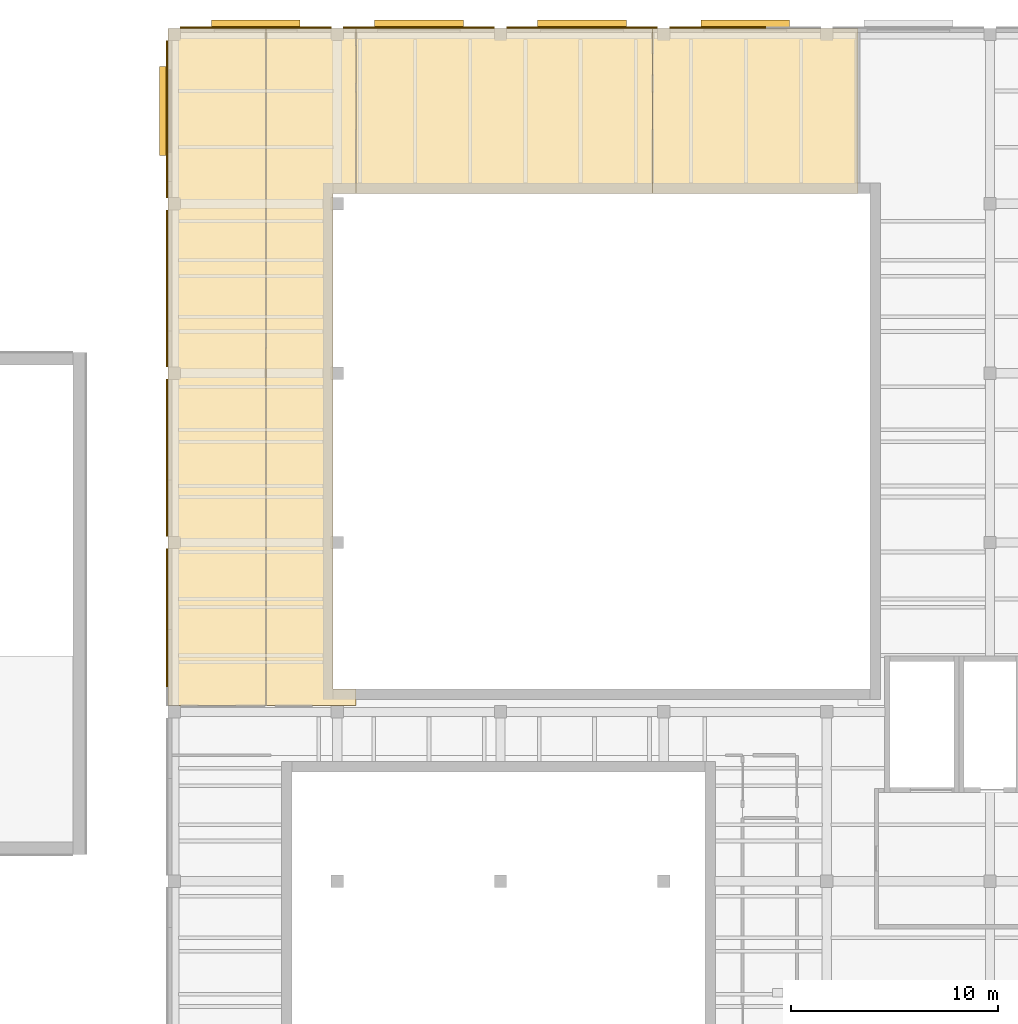
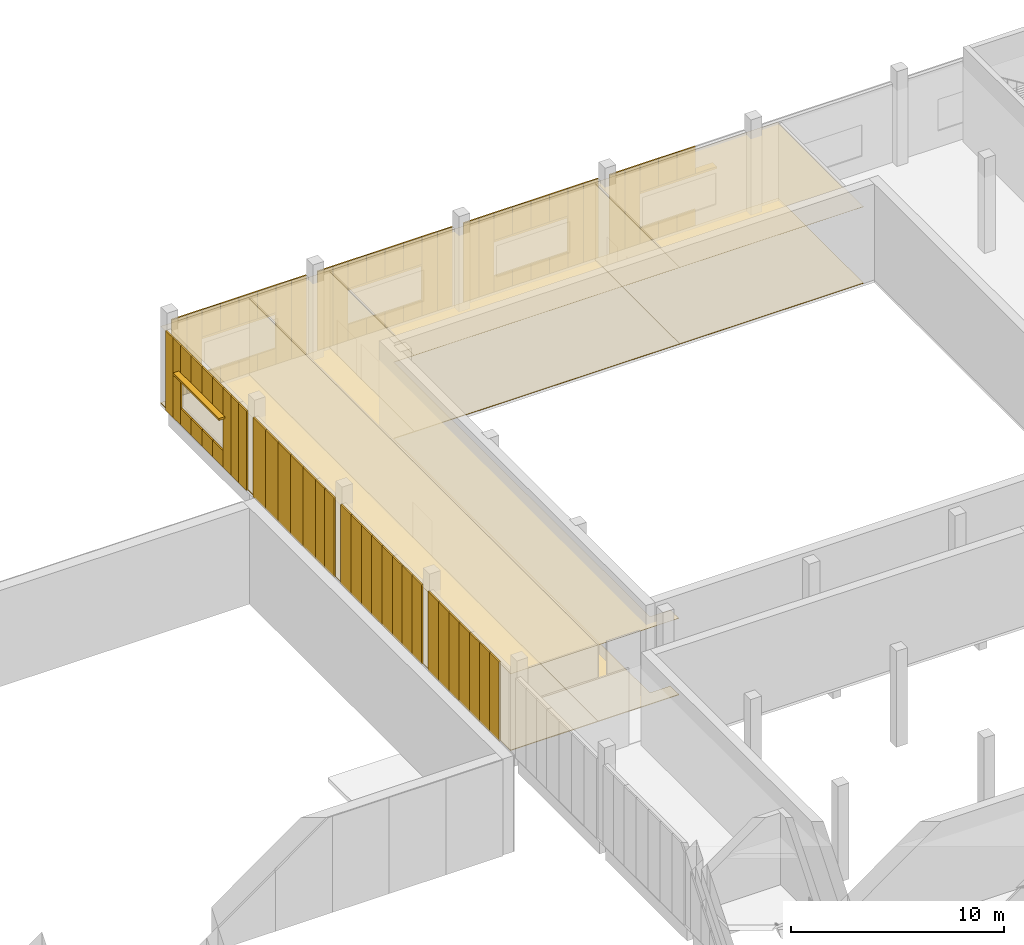
# One storey, part 109 of 112: 87 coverings, 5 shading devices.
"""IFC4 building model written with IfcOpenShell, lengths in metres."""

import ifcopenshell
import ifcopenshell.guid

model = None  # the IFC model being written
_history = None  # IfcOwnerHistory: only IFC2X3 demands one
_inside = {}  # id of a spatial element -> (the spatial element, [elements in it])
_under = {}  # id of a project, library or spatial element -> (it, [spatial elements below it])
_declared = {}  # id of a project -> (the project, [libraries it declares])
_typed = {}  # id of a type object -> (the type object, [elements of that type])
_made_of = {}  # id of a material, layer set ... -> (it, [elements and type objects made of it])


def new_model(schema):
    """Start an empty IFC model of exactly this schema.

    Asked for "IFC4X3", IfcOpenShell would pick the latest addendum, in which some entities
    have other attributes; the version numbers below select the first issue.
    IFC2X3 requires an IfcOwnerHistory on every rooted entity: one is made here for all.
    """
    global model, _history
    if schema == "IFC4X3":
        model = ifcopenshell.file(schema_version=(4, 3, 0, 0))
    else:
        model = ifcopenshell.file(schema=schema)
    _inside.clear()
    _under.clear()
    _declared.clear()
    _typed.clear()
    _made_of.clear()
    _history = None
    if model.schema == "IFC2X3":
        org = make("IfcOrganization", Name="unknown")
        user = make(
            "IfcPersonAndOrganization",
            ThePerson=make("IfcPerson", FamilyName="unknown"),
            TheOrganization=org,
        )
        app = make(
            "IfcApplication",
            ApplicationDeveloper=org,
            Version="unknown",
            ApplicationFullName="unknown",
            ApplicationIdentifier="unknown",
        )
        _history = make(
            "IfcOwnerHistory",
            OwningUser=user,
            OwningApplication=app,
            ChangeAction="ADDED",
            CreationDate=0,
        )
    return model


def make(cls, **values):
    """One entity of the class cls with the attributes given. An attribute that is None is left unset."""
    return model.create_entity(
        cls, **{name: value for name, value in values.items() if value is not None}
    )


def rooted(cls, **values):
    """An entity with a GlobalId (a new one), such as an element, a storey or a relation."""
    return make(cls, GlobalId=ifcopenshell.guid.new(), OwnerHistory=_history, **values)


def si_unit(unit_type, name, prefix=None):
    """IfcSIUnit, for example si_unit("LENGTHUNIT", "METRE", prefix="MILLI")."""
    return make("IfcSIUnit", UnitType=unit_type, Prefix=prefix, Name=name)


def assignment(units):
    """IfcUnitAssignment: the units of a project."""
    return None if units is None else make("IfcUnitAssignment", Units=units)


def point(xyz):
    """IfcCartesianPoint."""
    return None if xyz is None else make("IfcCartesianPoint", Coordinates=xyz)


def direction(xyz):
    """IfcDirection."""
    return None if xyz is None else make("IfcDirection", DirectionRatios=xyz)


def frame(location, z_axis=None, x_axis=None):
    """IfcAxis2Placement3D, a coordinate frame: its origin and axes. An axis left out is left unset."""
    return make(
        "IfcAxis2Placement3D",
        Location=point(location),
        Axis=direction(z_axis),
        RefDirection=direction(x_axis),
    )


def frame_2d(location, x_axis=None):
    """IfcAxis2Placement2D, a coordinate frame in the plane: its origin and x axis."""
    return make(
        "IfcAxis2Placement2D", Location=point(location), RefDirection=direction(x_axis)
    )


def origin():
    """The frame at (0, 0, 0) with its axes left unset."""
    return frame((0.0, 0.0, 0.0))


def origin_2d():
    """The frame at (0, 0) in the plane with its x axis left unset."""
    return frame_2d((0.0, 0.0))


def place(relative_to, where):
    """IfcLocalPlacement: puts the frame where relative to a parent placement (None: the world)."""
    return make(
        "IfcLocalPlacement", PlacementRelTo=relative_to, RelativePlacement=where
    )


def context(
    kind, dimensions, precision=None, world=None, true_north=None, identifier=None
):
    """IfcGeometricRepresentationContext, for example the 3D "Model" context."""
    return make(
        "IfcGeometricRepresentationContext",
        ContextIdentifier=identifier,
        ContextType=kind,
        CoordinateSpaceDimension=dimensions,
        Precision=precision,
        WorldCoordinateSystem=world,
        TrueNorth=true_north,
    )


def subcontext(parent, identifier, kind, view, scale=None):
    """IfcGeometricRepresentationSubContext, for example "Body" below "Model"."""
    return make(
        "IfcGeometricRepresentationSubContext",
        ContextIdentifier=identifier,
        ContextType=kind,
        ParentContext=parent,
        TargetScale=scale,
        TargetView=view,
    )


def project(units=None, contexts=None):
    """IfcProject with its units and contexts."""
    return rooted(
        "IfcProject",
        Name="project",
        RepresentationContexts=contexts,
        UnitsInContext=assignment(units),
    )


def spatial(cls, under=None, at=None, **own):
    """A site, building, storey or space (cls), placed at a placement, below another one or the project."""
    s = rooted(cls, ObjectPlacement=at, **own)
    if under is not None:
        _under.setdefault(under.id(), (under, []))[1].append(s)
    return s


def polyline(points):
    """IfcPolyline through the points."""
    return make("IfcPolyline", Points=[point(p) for p in points])


def profile(cls, at=None, kind="AREA", **sizes):
    """A parametric profile (cls). Its sizes go by their IFC names, for example OverallWidth=200.0."""
    return make(cls, ProfileType=kind, Position=at, **sizes)


def rectangle(**sizes):
    """IfcRectangleProfileDef."""
    return profile("IfcRectangleProfileDef", **sizes)


def outline(outer, holes=None, kind="AREA"):
    """IfcArbitraryClosedProfileDef: a profile drawn as a closed curve; with holes, ...WithVoids."""
    if holes is None:
        return make("IfcArbitraryClosedProfileDef", ProfileType=kind, OuterCurve=outer)
    return make(
        "IfcArbitraryProfileDefWithVoids",
        ProfileType=kind,
        OuterCurve=outer,
        InnerCurves=holes,
    )


def extrude(swept, where, along, depth):
    """IfcExtrudedAreaSolid: the profile swept, set in the frame where, extruded along a direction by depth."""
    return make(
        "IfcExtrudedAreaSolid",
        SweptArea=swept,
        Position=where,
        ExtrudedDirection=direction(along),
        Depth=depth,
    )


def shape(context_of_items, identifier, shape_type, items):
    """IfcShapeRepresentation: the items that make up one representation, for example the "Body"."""
    return make(
        "IfcShapeRepresentation",
        ContextOfItems=context_of_items,
        RepresentationIdentifier=identifier,
        RepresentationType=shape_type,
        Items=items,
    )


def material(Name=None, Category=None):
    """IfcMaterial."""
    return make("IfcMaterial", Name=Name, Category=Category)


def layer(
    of_material, thickness, ventilated=None, Name=None, Category=None, Priority=None
):
    """IfcMaterialLayer: one layer of a wall or slab, of a material (None: an air gap)."""
    return make(
        "IfcMaterialLayer",
        Material=of_material,
        LayerThickness=thickness,
        IsVentilated=ventilated,
        Name=Name,
        Category=Category,
        Priority=Priority,
    )


def layer_set(layers, Name=None):
    """IfcMaterialLayerSet."""
    return make("IfcMaterialLayerSet", MaterialLayers=layers, LayerSetName=Name)


def made_of(thing, what):
    """Note that an element or type object is made of a material, layer set ...; save() writes the relation."""
    if what is not None:
        _made_of.setdefault(what.id(), (what, []))[1].append(thing)
    return thing


def type_object(cls, material=None, **own):
    """A type object (cls), such as IfcWallType, which elements share."""
    return made_of(rooted(cls, **own), material)


def element(
    cls,
    number,
    at=None,
    inside=None,
    cuts=None,
    type_object=None,
    material=None,
    context=None,
    identifier="Body",
    shape_type=None,
    held_by="IfcProductDefinitionShape",
    body=None,
    shapes=None,
    **own,
):
    """One element of the class cls, such as IfcWall. Its Tag is "e" and its number.

    at: its placement. inside: the storey or other place that contains it. cuts: it is an
    opening in that element (IfcRelVoidsElement). A single representation is given by context,
    identifier, shape_type and body (its items); several are given by shapes. held_by: the class
    of the entity that holds the representations. save() writes the other relations.
    """
    e = rooted(cls, Tag="e%d" % number, ObjectPlacement=at, **own)
    if body is not None:
        shapes = [shape(context, identifier, shape_type, body)]
    if shapes is not None:
        e.Representation = make(held_by, Representations=shapes)
    if inside is not None:
        _inside.setdefault(inside.id(), (inside, []))[1].append(e)
    if cuts is not None:
        rooted(
            "IfcRelVoidsElement", RelatingBuildingElement=cuts, RelatedOpeningElement=e
        )
    if type_object is not None:
        _typed.setdefault(type_object.id(), (type_object, []))[1].append(e)
    return made_of(e, material)


def aggregate(whole, parts):
    """IfcRelAggregates: a whole, such as a stair, and the parts it consists of."""
    return rooted("IfcRelAggregates", RelatingObject=whole, RelatedObjects=parts)


def save(model, path):
    """Write the relations noted so far, then the file.

    IfcRelAggregates (storeys below a building ...), IfcRelContainedInSpatialStructure (elements
    in a storey), IfcRelDefinesByType, IfcRelAssociatesMaterial and IfcRelDeclares: one each for
    every whole, place, type object, material and project.
    """
    for whole, parts in _under.values():
        aggregate(whole, parts)
    for where, things in _inside.values():
        rooted(
            "IfcRelContainedInSpatialStructure",
            RelatedElements=things,
            RelatingStructure=where,
        )
    for kind, things in _typed.values():
        rooted("IfcRelDefinesByType", RelatedObjects=things, RelatingType=kind)
    for what, things in _made_of.values():
        rooted("IfcRelAssociatesMaterial", RelatedObjects=things, RelatingMaterial=what)
    for by, libraries in _declared.values():
        rooted("IfcRelDeclares", RelatingContext=by, RelatedDefinitions=libraries)
    model.write(path)


model = new_model("IFC4")

# Units and contexts
model_context = context("Model", 3, precision=1e-05, world=origin(), true_north=direction((0.0, 1.0)))
body_context = subcontext(model_context, "Body", "Model", "MODEL_VIEW")
ifc_project = project(units=[si_unit("LENGTHUNIT", "METRE"), si_unit("AREAUNIT", "SQUARE_METRE"), si_unit("VOLUMEUNIT", "CUBIC_METRE"), si_unit("PLANEANGLEUNIT", "RADIAN"), si_unit("MASSUNIT", "GRAM", prefix="KILO")], contexts=[model_context])

# Site, building, storey
site_placement = place(None, origin())
site = spatial("IfcSite", under=ifc_project, at=site_placement, CompositionType="ELEMENT")
building_placement = place(site_placement, origin())
building = spatial("IfcBuilding", under=site, at=building_placement, Name="Lunette Opera House", CompositionType="ELEMENT")
storey_placement = place(building_placement, frame((0.0, 0.0, 6.0)))
storey = spatial("IfcBuildingStorey", under=building, at=storey_placement, Name="L01", CompositionType="ELEMENT", Elevation=6.0)

# Coverings
ifc_material_1 = material(Name="Dark grey aluminium cassette", Category="aluminium")
ifc_layer_1 = layer(ifc_material_1, 0.080078125)
ifc_layer_set_1 = layer_set([ifc_layer_1], Name="Dark grey aluminium cassette")
covering_type_1 = type_object("IfcCoveringType", Name="DARK METAL CASSETTE 80", PredefinedType="CLADDING", material=ifc_layer_set_1)
covering_1_placement = place(storey_placement, frame((164.449951171875, 136.0400390625, 0.0), z_axis=(0.0, 0.0, 1.0), x_axis=(-1.0, 0.0, 0.0)))
element("IfcCovering", 1, at=covering_1_placement, inside=storey, type_object=covering_type_1, Name="Dark Metal Cassette 80 WK L01", PredefinedType="CLADDING", context=body_context, shape_type="SweptSolid", body=[
    extrude(rectangle(XDim=1.0, YDim=0.080078125, at=origin_2d()), origin(), (0.0, 0.0, 1.0), 0.949951171875),
])
covering_2_placement = place(storey_placement, frame((164.449951171875, 136.0400390625, 3.0), z_axis=(0.0, 0.0, 1.0), x_axis=(-1.0, 0.0, 0.0)))
element("IfcCovering", 2, at=covering_2_placement, inside=storey, type_object=covering_type_1, Name="Dark Metal Cassette 80 WK L01", PredefinedType="CLADDING", context=body_context, shape_type="SweptSolid", body=[
    extrude(rectangle(XDim=1.0, YDim=0.080078125, at=origin_2d()), origin(), (0.0, 0.0, 1.0), 1.550048828125),
])
covering_3_placement = place(storey_placement, frame((163.449951171875, 136.0400390625, 0.0), z_axis=(0.0, 0.0, 1.0), x_axis=(-1.0, 0.0, 0.0)))
element("IfcCovering", 3, at=covering_3_placement, inside=storey, type_object=covering_type_1, Name="Dark Metal Cassette 80 WK L01", PredefinedType="CLADDING", context=body_context, shape_type="SweptSolid", body=[
    extrude(rectangle(XDim=1.0, YDim=0.080078125, at=origin_2d()), origin(), (0.0, 0.0, 1.0), 0.949951171875),
])
covering_4_placement = place(storey_placement, frame((163.449951171875, 136.0400390625, 3.0), z_axis=(0.0, 0.0, 1.0), x_axis=(-1.0, 0.0, 0.0)))
element("IfcCovering", 4, at=covering_4_placement, inside=storey, type_object=covering_type_1, Name="Dark Metal Cassette 80 WK L01", PredefinedType="CLADDING", context=body_context, shape_type="SweptSolid", body=[
    extrude(rectangle(XDim=1.0, YDim=0.080078125, at=origin_2d()), origin(), (0.0, 0.0, 1.0), 1.550048828125),
])
covering_5_placement = place(storey_placement, frame((162.449951171875, 136.0400390625, 0.0), z_axis=(0.0, 0.0, 1.0), x_axis=(-1.0, 0.0, 0.0)))
element("IfcCovering", 5, at=covering_5_placement, inside=storey, type_object=covering_type_1, Name="Dark Metal Cassette 80 WK L01", PredefinedType="CLADDING", context=body_context, shape_type="SweptSolid", body=[
    extrude(rectangle(XDim=1.0, YDim=0.080078125, at=origin_2d()), origin(), (0.0, 0.0, 1.0), 0.949951171875),
])
covering_6_placement = place(storey_placement, frame((162.449951171875, 136.0400390625, 3.0), z_axis=(0.0, 0.0, 1.0), x_axis=(-1.0, 0.0, 0.0)))
element("IfcCovering", 6, at=covering_6_placement, inside=storey, type_object=covering_type_1, Name="Dark Metal Cassette 80 WK L01", PredefinedType="CLADDING", context=body_context, shape_type="SweptSolid", body=[
    extrude(rectangle(XDim=1.0, YDim=0.080078125, at=origin_2d()), origin(), (0.0, 0.0, 1.0), 1.550048828125),
])
for number, where, z_axis, x_axis, name in (
    (7, (161.537109375, 136.0400390625, 0.0), (0.0, 0.0, 1.0), (-1.0, 0.0, 0.0), "Dark Metal Cassette 80 WK L01"),
    (8, (160.712890625, 136.0400390625, 0.0), (0.0, 0.0, 1.0), (-1.0, 0.0, 0.0), "Dark Metal Cassette 80 WK L01"),
    (9, (159.287109375, 136.0400390625, 0.0), (0.0, 0.0, 1.0), (-1.0, 0.0, 0.0), "Dark Metal Cassette 80 WK L01"),
    (10, (158.4619140625, 136.0400390625, 0.0), (0.0, 0.0, 1.0), (-1.0, 0.0, 0.0), "Dark Metal Cassette 80 WK L01"),
):
    element("IfcCovering", number, at=place(storey_placement, frame(where, z_axis=z_axis, x_axis=x_axis)), inside=storey, type_object=covering_type_1, Name=name, PredefinedType="CLADDING", context=body_context, shape_type="SweptSolid", body=[
        extrude(rectangle(XDim=0.824951171875, YDim=0.080078125, at=origin_2d()), origin(), (0.0, 0.0, 1.0), 4.550048828125),
    ])
covering_7_placement = place(storey_placement, frame((157.550048828125, 136.0400390625, 0.0), z_axis=(0.0, 0.0, 1.0), x_axis=(-1.0, 0.0, 0.0)))
element("IfcCovering", 11, at=covering_7_placement, inside=storey, type_object=covering_type_1, Name="Dark Metal Cassette 80 WK L01", PredefinedType="CLADDING", context=body_context, shape_type="SweptSolid", body=[
    extrude(rectangle(XDim=1.0, YDim=0.080078125, at=origin_2d()), origin(), (0.0, 0.0, 1.0), 0.949951171875),
])
covering_8_placement = place(storey_placement, frame((157.550048828125, 136.0400390625, 3.0), z_axis=(0.0, 0.0, 1.0), x_axis=(-1.0, 0.0, 0.0)))
element("IfcCovering", 12, at=covering_8_placement, inside=storey, type_object=covering_type_1, Name="Dark Metal Cassette 80 WK L01", PredefinedType="CLADDING", context=body_context, shape_type="SweptSolid", body=[
    extrude(rectangle(XDim=1.0, YDim=0.080078125, at=origin_2d()), origin(), (0.0, 0.0, 1.0), 1.550048828125),
])
covering_9_placement = place(storey_placement, frame((156.550048828125, 136.0400390625, 0.0), z_axis=(0.0, 0.0, 1.0), x_axis=(-1.0, 0.0, 0.0)))
element("IfcCovering", 13, at=covering_9_placement, inside=storey, type_object=covering_type_1, Name="Dark Metal Cassette 80 WK L01", PredefinedType="CLADDING", context=body_context, shape_type="SweptSolid", body=[
    extrude(rectangle(XDim=1.0, YDim=0.080078125, at=origin_2d()), origin(), (0.0, 0.0, 1.0), 0.949951171875),
])
covering_10_placement = place(storey_placement, frame((156.550048828125, 136.0400390625, 3.0), z_axis=(0.0, 0.0, 1.0), x_axis=(-1.0, 0.0, 0.0)))
element("IfcCovering", 14, at=covering_10_placement, inside=storey, type_object=covering_type_1, Name="Dark Metal Cassette 80 WK L01", PredefinedType="CLADDING", context=body_context, shape_type="SweptSolid", body=[
    extrude(rectangle(XDim=1.0, YDim=0.080078125, at=origin_2d()), origin(), (0.0, 0.0, 1.0), 1.550048828125),
])
covering_11_placement = place(storey_placement, frame((155.550048828125, 136.0400390625, 0.0), z_axis=(0.0, 0.0, 1.0), x_axis=(-1.0, 0.0, 0.0)))
element("IfcCovering", 15, at=covering_11_placement, inside=storey, type_object=covering_type_1, Name="Dark Metal Cassette 80 WK L01", PredefinedType="CLADDING", context=body_context, shape_type="SweptSolid", body=[
    extrude(rectangle(XDim=1.0, YDim=0.080078125, at=origin_2d()), origin(), (0.0, 0.0, 1.0), 0.949951171875),
])
covering_12_placement = place(storey_placement, frame((155.550048828125, 136.0400390625, 3.0), z_axis=(0.0, 0.0, 1.0), x_axis=(-1.0, 0.0, 0.0)))
element("IfcCovering", 16, at=covering_12_placement, inside=storey, type_object=covering_type_1, Name="Dark Metal Cassette 80 WK L01", PredefinedType="CLADDING", context=body_context, shape_type="SweptSolid", body=[
    extrude(rectangle(XDim=1.0, YDim=0.080078125, at=origin_2d()), origin(), (0.0, 0.0, 1.0), 1.550048828125),
])
covering_13_placement = place(storey_placement, frame((154.550048828125, 136.0400390625, 0.0), z_axis=(0.0, 0.0, 1.0), x_axis=(-1.0, 0.0, 0.0)))
element("IfcCovering", 17, at=covering_13_placement, inside=storey, type_object=covering_type_1, Name="Dark Metal Cassette 80 WK L01", PredefinedType="CLADDING", context=body_context, shape_type="SweptSolid", body=[
    extrude(rectangle(XDim=1.0, YDim=0.080078125, at=origin_2d()), origin(), (0.0, 0.0, 1.0), 0.949951171875),
])
covering_14_placement = place(storey_placement, frame((154.550048828125, 136.0400390625, 3.0), z_axis=(0.0, 0.0, 1.0), x_axis=(-1.0, 0.0, 0.0)))
element("IfcCovering", 18, at=covering_14_placement, inside=storey, type_object=covering_type_1, Name="Dark Metal Cassette 80 WK L01", PredefinedType="CLADDING", context=body_context, shape_type="SweptSolid", body=[
    extrude(rectangle(XDim=1.0, YDim=0.080078125, at=origin_2d()), origin(), (0.0, 0.0, 1.0), 1.550048828125),
])
for number, where, z_axis, x_axis, name in (
    (19, (153.636962890625, 136.0400390625, 0.0), (0.0, 0.0, 1.0), (-1.0, 0.0, 0.0), "Dark Metal Cassette 80 WK L01"),
    (20, (152.81201171875, 136.0400390625, 0.0), (0.0, 0.0, 1.0), (-1.0, 0.0, 0.0), "Dark Metal Cassette 80 WK L01"),
    (21, (151.387939453125, 136.0400390625, 0.0), (0.0, 0.0, 1.0), (-1.0, 0.0, 0.0), "Dark Metal Cassette 80 WK L01"),
    (22, (150.56201171875, 136.0400390625, 0.0), (0.0, 0.0, 1.0), (-1.0, 0.0, 0.0), "Dark Metal Cassette 80 WK L01"),
):
    element("IfcCovering", number, at=place(storey_placement, frame(where, z_axis=z_axis, x_axis=x_axis)), inside=storey, type_object=covering_type_1, Name=name, PredefinedType="CLADDING", context=body_context, shape_type="SweptSolid", body=[
        extrude(rectangle(XDim=0.824951171875, YDim=0.080078125, at=origin_2d()), origin(), (0.0, 0.0, 1.0), 4.550048828125),
    ])
covering_15_placement = place(storey_placement, frame((149.64990234375, 136.0400390625, 0.0), z_axis=(0.0, 0.0, 1.0), x_axis=(-1.0, 0.0, 0.0)))
element("IfcCovering", 23, at=covering_15_placement, inside=storey, type_object=covering_type_1, Name="Dark Metal Cassette 80 WK L01", PredefinedType="CLADDING", context=body_context, shape_type="SweptSolid", body=[
    extrude(rectangle(XDim=1.0, YDim=0.080078125, at=origin_2d()), origin(), (0.0, 0.0, 1.0), 0.949951171875),
])
covering_16_placement = place(storey_placement, frame((149.64990234375, 136.0400390625, 3.0), z_axis=(0.0, 0.0, 1.0), x_axis=(-1.0, 0.0, 0.0)))
element("IfcCovering", 24, at=covering_16_placement, inside=storey, type_object=covering_type_1, Name="Dark Metal Cassette 80 WK L01", PredefinedType="CLADDING", context=body_context, shape_type="SweptSolid", body=[
    extrude(rectangle(XDim=1.0, YDim=0.080078125, at=origin_2d()), origin(), (0.0, 0.0, 1.0), 1.550048828125),
])
covering_17_placement = place(storey_placement, frame((148.64990234375, 136.0400390625, 0.0), z_axis=(0.0, 0.0, 1.0), x_axis=(-1.0, 0.0, 0.0)))
element("IfcCovering", 25, at=covering_17_placement, inside=storey, type_object=covering_type_1, Name="Dark Metal Cassette 80 WK L01", PredefinedType="CLADDING", context=body_context, shape_type="SweptSolid", body=[
    extrude(rectangle(XDim=1.0, YDim=0.080078125, at=origin_2d()), origin(), (0.0, 0.0, 1.0), 0.949951171875),
])
covering_18_placement = place(storey_placement, frame((148.64990234375, 136.0400390625, 3.0), z_axis=(0.0, 0.0, 1.0), x_axis=(-1.0, 0.0, 0.0)))
element("IfcCovering", 26, at=covering_18_placement, inside=storey, type_object=covering_type_1, Name="Dark Metal Cassette 80 WK L01", PredefinedType="CLADDING", context=body_context, shape_type="SweptSolid", body=[
    extrude(rectangle(XDim=1.0, YDim=0.080078125, at=origin_2d()), origin(), (0.0, 0.0, 1.0), 1.550048828125),
])
covering_19_placement = place(storey_placement, frame((147.64990234375, 136.0400390625, 0.0), z_axis=(0.0, 0.0, 1.0), x_axis=(-1.0, 0.0, 0.0)))
element("IfcCovering", 27, at=covering_19_placement, inside=storey, type_object=covering_type_1, Name="Dark Metal Cassette 80 WK L01", PredefinedType="CLADDING", context=body_context, shape_type="SweptSolid", body=[
    extrude(rectangle(XDim=1.0, YDim=0.080078125, at=origin_2d()), origin(), (0.0, 0.0, 1.0), 0.949951171875),
])
covering_20_placement = place(storey_placement, frame((147.64990234375, 136.0400390625, 3.0), z_axis=(0.0, 0.0, 1.0), x_axis=(-1.0, 0.0, 0.0)))
element("IfcCovering", 28, at=covering_20_placement, inside=storey, type_object=covering_type_1, Name="Dark Metal Cassette 80 WK L01", PredefinedType="CLADDING", context=body_context, shape_type="SweptSolid", body=[
    extrude(rectangle(XDim=1.0, YDim=0.080078125, at=origin_2d()), origin(), (0.0, 0.0, 1.0), 1.550048828125),
])
covering_21_placement = place(storey_placement, frame((146.64990234375, 136.0400390625, 0.0), z_axis=(0.0, 0.0, 1.0), x_axis=(-1.0, 0.0, 0.0)))
element("IfcCovering", 29, at=covering_21_placement, inside=storey, type_object=covering_type_1, Name="Dark Metal Cassette 80 WK L01", PredefinedType="CLADDING", context=body_context, shape_type="SweptSolid", body=[
    extrude(rectangle(XDim=1.0, YDim=0.080078125, at=origin_2d()), origin(), (0.0, 0.0, 1.0), 0.949951171875),
])
covering_22_placement = place(storey_placement, frame((146.64990234375, 136.0400390625, 3.0), z_axis=(0.0, 0.0, 1.0), x_axis=(-1.0, 0.0, 0.0)))
element("IfcCovering", 30, at=covering_22_placement, inside=storey, type_object=covering_type_1, Name="Dark Metal Cassette 80 WK L01", PredefinedType="CLADDING", context=body_context, shape_type="SweptSolid", body=[
    extrude(rectangle(XDim=1.0, YDim=0.080078125, at=origin_2d()), origin(), (0.0, 0.0, 1.0), 1.550048828125),
])
for number, where, z_axis, x_axis, name in (
    (31, (145.738037109375, 136.0400390625, 0.0), (0.0, 0.0, 1.0), (-1.0, 0.0, 0.0), "Dark Metal Cassette 80 WK L01"),
    (32, (144.912109375, 136.0400390625, 0.0), (0.0, 0.0, 1.0), (-1.0, 0.0, 0.0), "Dark Metal Cassette 80 WK L01"),
    (33, (143.488037109375, 136.0400390625, 0.0), (0.0, 0.0, 1.0), (-1.0, 0.0, 0.0), "Dark Metal Cassette 80 WK L01"),
    (34, (142.662109375, 136.0400390625, 0.0), (0.0, 0.0, 1.0), (-1.0, 0.0, 0.0), "Dark Metal Cassette 80 WK L01"),
):
    element("IfcCovering", number, at=place(storey_placement, frame(where, z_axis=z_axis, x_axis=x_axis)), inside=storey, type_object=covering_type_1, Name=name, PredefinedType="CLADDING", context=body_context, shape_type="SweptSolid", body=[
        extrude(rectangle(XDim=0.824951171875, YDim=0.080078125, at=origin_2d()), origin(), (0.0, 0.0, 1.0), 4.550048828125),
    ])
covering_23_placement = place(storey_placement, frame((141.75, 136.0400390625, 0.0), z_axis=(0.0, 0.0, 1.0), x_axis=(-1.0, 0.0, 0.0)))
element("IfcCovering", 35, at=covering_23_placement, inside=storey, type_object=covering_type_1, Name="Dark Metal Cassette 80 WK L01", PredefinedType="CLADDING", context=body_context, shape_type="SweptSolid", body=[
    extrude(rectangle(XDim=1.0, YDim=0.080078125, at=origin_2d()), origin(), (0.0, 0.0, 1.0), 0.949951171875),
])
covering_24_placement = place(storey_placement, frame((141.75, 136.0400390625, 3.0), z_axis=(0.0, 0.0, 1.0), x_axis=(-1.0, 0.0, 0.0)))
element("IfcCovering", 36, at=covering_24_placement, inside=storey, type_object=covering_type_1, Name="Dark Metal Cassette 80 WK L01", PredefinedType="CLADDING", context=body_context, shape_type="SweptSolid", body=[
    extrude(rectangle(XDim=1.0, YDim=0.080078125, at=origin_2d()), origin(), (0.0, 0.0, 1.0), 1.550048828125),
])
covering_25_placement = place(storey_placement, frame((140.75, 136.0400390625, 0.0), z_axis=(0.0, 0.0, 1.0), x_axis=(-1.0, 0.0, 0.0)))
element("IfcCovering", 37, at=covering_25_placement, inside=storey, type_object=covering_type_1, Name="Dark Metal Cassette 80 WK L01", PredefinedType="CLADDING", context=body_context, shape_type="SweptSolid", body=[
    extrude(rectangle(XDim=1.0, YDim=0.080078125, at=origin_2d()), origin(), (0.0, 0.0, 1.0), 0.949951171875),
])
covering_26_placement = place(storey_placement, frame((140.75, 136.0400390625, 3.0), z_axis=(0.0, 0.0, 1.0), x_axis=(-1.0, 0.0, 0.0)))
element("IfcCovering", 38, at=covering_26_placement, inside=storey, type_object=covering_type_1, Name="Dark Metal Cassette 80 WK L01", PredefinedType="CLADDING", context=body_context, shape_type="SweptSolid", body=[
    extrude(rectangle(XDim=1.0, YDim=0.080078125, at=origin_2d()), origin(), (0.0, 0.0, 1.0), 1.550048828125),
])
covering_27_placement = place(storey_placement, frame((139.75, 136.0400390625, 0.0), z_axis=(0.0, 0.0, 1.0), x_axis=(-1.0, 0.0, 0.0)))
element("IfcCovering", 39, at=covering_27_placement, inside=storey, type_object=covering_type_1, Name="Dark Metal Cassette 80 WK L01", PredefinedType="CLADDING", context=body_context, shape_type="SweptSolid", body=[
    extrude(rectangle(XDim=1.0, YDim=0.080078125, at=origin_2d()), origin(), (0.0, 0.0, 1.0), 0.949951171875),
])
covering_28_placement = place(storey_placement, frame((139.75, 136.0400390625, 3.0), z_axis=(0.0, 0.0, 1.0), x_axis=(-1.0, 0.0, 0.0)))
element("IfcCovering", 40, at=covering_28_placement, inside=storey, type_object=covering_type_1, Name="Dark Metal Cassette 80 WK L01", PredefinedType="CLADDING", context=body_context, shape_type="SweptSolid", body=[
    extrude(rectangle(XDim=1.0, YDim=0.080078125, at=origin_2d()), origin(), (0.0, 0.0, 1.0), 1.550048828125),
])
covering_29_placement = place(storey_placement, frame((138.75, 136.0400390625, 0.0), z_axis=(0.0, 0.0, 1.0), x_axis=(-1.0, 0.0, 0.0)))
element("IfcCovering", 41, at=covering_29_placement, inside=storey, type_object=covering_type_1, Name="Dark Metal Cassette 80 WK L01", PredefinedType="CLADDING", context=body_context, shape_type="SweptSolid", body=[
    extrude(rectangle(XDim=1.0, YDim=0.080078125, at=origin_2d()), origin(), (0.0, 0.0, 1.0), 0.949951171875),
])
covering_30_placement = place(storey_placement, frame((138.75, 136.0400390625, 3.0), z_axis=(0.0, 0.0, 1.0), x_axis=(-1.0, 0.0, 0.0)))
element("IfcCovering", 42, at=covering_30_placement, inside=storey, type_object=covering_type_1, Name="Dark Metal Cassette 80 WK L01", PredefinedType="CLADDING", context=body_context, shape_type="SweptSolid", body=[
    extrude(rectangle(XDim=1.0, YDim=0.080078125, at=origin_2d()), origin(), (0.0, 0.0, 1.0), 1.550048828125),
])
for number, where, z_axis, x_axis, name in (
    (43, (137.837890625, 136.0400390625, 0.0), (0.0, 0.0, 1.0), (-1.0, 0.0, 0.0), "Dark Metal Cassette 80 WK L01"),
    (44, (137.011962890625, 136.0400390625, 0.0), (0.0, 0.0, 1.0), (-1.0, 0.0, 0.0), "Dark Metal Cassette 80 WK L01"),
):
    element("IfcCovering", number, at=place(storey_placement, frame(where, z_axis=z_axis, x_axis=x_axis)), inside=storey, type_object=covering_type_1, Name=name, PredefinedType="CLADDING", context=body_context, shape_type="SweptSolid", body=[
        extrude(rectangle(XDim=0.824951171875, YDim=0.080078125, at=origin_2d()), origin(), (0.0, 0.0, 1.0), 4.550048828125),
    ])
for number, where, z_axis, x_axis, name in (
    (45, (135.9599609375, 135.047119140625, 0.0), (0.0, 0.0, 1.0), (0.0, -1.0, 0.0), "Dark Metal Cassette 80 WK L01"),
    (46, (135.9599609375, 134.341064453125, 0.0), (0.0, 0.0, 1.0), (0.0, -1.0, 0.0), "Dark Metal Cassette 80 WK L01"),
):
    element("IfcCovering", number, at=place(storey_placement, frame(where, z_axis=z_axis, x_axis=x_axis)), inside=storey, type_object=covering_type_1, Name=name, PredefinedType="CLADDING", context=body_context, shape_type="SweptSolid", body=[
        extrude(rectangle(XDim=0.7060546875, YDim=0.080078125, at=origin_2d()), origin(), (0.0, 0.0, 1.0), 4.550048828125),
    ])
covering_31_placement = place(storey_placement, frame((135.9599609375, 133.488037109375, 0.0), z_axis=(0.0, 0.0, 1.0), x_axis=(0.0, -1.0, 0.0)))
element("IfcCovering", 47, at=covering_31_placement, inside=storey, type_object=covering_type_1, Name="Dark Metal Cassette 80 WK L01", PredefinedType="CLADDING", context=body_context, shape_type="SweptSolid", body=[
    extrude(rectangle(XDim=1.0, YDim=0.080078125, at=origin_2d()), origin(), (0.0, 0.0, 1.0), 0.949951171875),
])
covering_32_placement = place(storey_placement, frame((135.9599609375, 133.488037109375, 3.0), z_axis=(0.0, 0.0, 1.0), x_axis=(0.0, -1.0, 0.0)))
element("IfcCovering", 48, at=covering_32_placement, inside=storey, type_object=covering_type_1, Name="Dark Metal Cassette 80 WK L01", PredefinedType="CLADDING", context=body_context, shape_type="SweptSolid", body=[
    extrude(rectangle(XDim=1.0, YDim=0.080078125, at=origin_2d()), origin(), (0.0, 0.0, 1.0), 1.550048828125),
])
covering_33_placement = place(storey_placement, frame((135.9599609375, 132.488037109375, 0.0), z_axis=(0.0, 0.0, 1.0), x_axis=(0.0, -1.0, 0.0)))
element("IfcCovering", 49, at=covering_33_placement, inside=storey, type_object=covering_type_1, Name="Dark Metal Cassette 80 WK L01", PredefinedType="CLADDING", context=body_context, shape_type="SweptSolid", body=[
    extrude(rectangle(XDim=1.0, YDim=0.080078125, at=origin_2d()), origin(), (0.0, 0.0, 1.0), 0.949951171875),
])
covering_34_placement = place(storey_placement, frame((135.9599609375, 132.488037109375, 3.0), z_axis=(0.0, 0.0, 1.0), x_axis=(0.0, -1.0, 0.0)))
element("IfcCovering", 50, at=covering_34_placement, inside=storey, type_object=covering_type_1, Name="Dark Metal Cassette 80 WK L01", PredefinedType="CLADDING", context=body_context, shape_type="SweptSolid", body=[
    extrude(rectangle(XDim=1.0, YDim=0.080078125, at=origin_2d()), origin(), (0.0, 0.0, 1.0), 1.550048828125),
])
covering_35_placement = place(storey_placement, frame((135.9599609375, 131.488037109375, 0.0), z_axis=(0.0, 0.0, 1.0), x_axis=(0.0, -1.0, 0.0)))
element("IfcCovering", 51, at=covering_35_placement, inside=storey, type_object=covering_type_1, Name="Dark Metal Cassette 80 WK L01", PredefinedType="CLADDING", context=body_context, shape_type="SweptSolid", body=[
    extrude(rectangle(XDim=1.0, YDim=0.080078125, at=origin_2d()), origin(), (0.0, 0.0, 1.0), 0.949951171875),
])
covering_36_placement = place(storey_placement, frame((135.9599609375, 131.488037109375, 3.0), z_axis=(0.0, 0.0, 1.0), x_axis=(0.0, -1.0, 0.0)))
element("IfcCovering", 52, at=covering_36_placement, inside=storey, type_object=covering_type_1, Name="Dark Metal Cassette 80 WK L01", PredefinedType="CLADDING", context=body_context, shape_type="SweptSolid", body=[
    extrude(rectangle(XDim=1.0, YDim=0.080078125, at=origin_2d()), origin(), (0.0, 0.0, 1.0), 1.550048828125),
])
covering_37_placement = place(storey_placement, frame((135.9599609375, 130.488037109375, 0.0), z_axis=(0.0, 0.0, 1.0), x_axis=(0.0, -1.0, 0.0)))
element("IfcCovering", 53, at=covering_37_placement, inside=storey, type_object=covering_type_1, Name="Dark Metal Cassette 80 WK L01", PredefinedType="CLADDING", context=body_context, shape_type="SweptSolid", body=[
    extrude(rectangle(XDim=1.0, YDim=0.080078125, at=origin_2d()), origin(), (0.0, 0.0, 1.0), 0.949951171875),
])
covering_38_placement = place(storey_placement, frame((135.9599609375, 130.488037109375, 3.0), z_axis=(0.0, 0.0, 1.0), x_axis=(0.0, -1.0, 0.0)))
element("IfcCovering", 54, at=covering_38_placement, inside=storey, type_object=covering_type_1, Name="Dark Metal Cassette 80 WK L01", PredefinedType="CLADDING", context=body_context, shape_type="SweptSolid", body=[
    extrude(rectangle(XDim=1.0, YDim=0.080078125, at=origin_2d()), origin(), (0.0, 0.0, 1.0), 1.550048828125),
])
for number, where, z_axis, x_axis, name in (
    (55, (135.9599609375, 129.635009765625, 0.0), (0.0, 0.0, 1.0), (0.0, -1.0, 0.0), "Dark Metal Cassette 80 WK L01"),
    (56, (135.9599609375, 128.927978515625, 0.0), (0.0, 0.0, 1.0), (0.0, -1.0, 0.0), "Dark Metal Cassette 80 WK L01"),
):
    element("IfcCovering", number, at=place(storey_placement, frame(where, z_axis=z_axis, x_axis=x_axis)), inside=storey, type_object=covering_type_1, Name=name, PredefinedType="CLADDING", context=body_context, shape_type="SweptSolid", body=[
        extrude(rectangle(XDim=0.70703125, YDim=0.080078125, at=origin_2d()), origin(), (0.0, 0.0, 1.0), 4.550048828125),
    ])
covering_39_placement = place(storey_placement, frame((135.9599609375, 128.18798828125, 0.0), z_axis=(0.0, 0.0, 1.0), x_axis=(0.0, -1.0, 0.0)))
element("IfcCovering", 57, at=covering_39_placement, inside=storey, type_object=covering_type_1, Name="Dark Metal Cassette 80 WK L01", PredefinedType="CLADDING", context=body_context, shape_type="SweptSolid", body=[
    extrude(rectangle(XDim=0.77490234375, YDim=0.080078125, at=origin_2d()), origin(), (0.0, 0.0, 1.0), 4.550048828125),
])
for number, where, z_axis, x_axis, name in (
    (58, (135.9599609375, 126.614990234375, 0.0), (0.0, 0.0, 1.0), (0.0, -1.0, 0.0), "Dark Metal Cassette 80 WK L01"),
    (59, (135.9599609375, 125.445068359375, 0.0), (0.0, 0.0, 1.0), (0.0, -1.0, 0.0), "Dark Metal Cassette 80 WK L01"),
    (60, (135.9599609375, 124.27490234375, 0.0), (0.0, 0.0, 1.0), (0.0, -1.0, 0.0), "Dark Metal Cassette 80 WK L01"),
    (61, (135.9599609375, 123.10498046875, 0.0), (0.0, 0.0, 1.0), (0.0, -1.0, 0.0), "Dark Metal Cassette 80 WK L01"),
    (62, (135.9599609375, 121.93505859375, 0.0), (0.0, 0.0, 1.0), (0.0, -1.0, 0.0), "Dark Metal Cassette 80 WK L01"),
):
    element("IfcCovering", number, at=place(storey_placement, frame(where, z_axis=z_axis, x_axis=x_axis)), inside=storey, type_object=covering_type_1, Name=name, PredefinedType="CLADDING", context=body_context, shape_type="SweptSolid", body=[
        extrude(rectangle(XDim=1.169921875, YDim=0.080078125, at=origin_2d()), origin(), (0.0, 0.0, 1.0), 4.550048828125),
    ])
for number, where, z_axis, x_axis, name in (
    (63, (135.9599609375, 120.912109375, 0.0), (0.0, 0.0, 1.0), (0.0, -1.0, 0.0), "Dark Metal Cassette 80 WK L01"),
    (64, (135.9599609375, 120.037109375, 0.0), (0.0, 0.0, 1.0), (0.0, -1.0, 0.0), "Dark Metal Cassette 80 WK L01"),
):
    element("IfcCovering", number, at=place(storey_placement, frame(where, z_axis=z_axis, x_axis=x_axis)), inside=storey, type_object=covering_type_1, Name=name, PredefinedType="CLADDING", context=body_context, shape_type="SweptSolid", body=[
        extrude(rectangle(XDim=0.875, YDim=0.080078125, at=origin_2d()), origin(), (0.0, 0.0, 1.0), 4.550048828125),
    ])
for number, where, z_axis, x_axis, name in (
    (65, (135.9599609375, 118.512939453125, 0.0), (0.0, 0.0, 1.0), (0.0, -1.0, 0.0), "Dark Metal Cassette 80 WK L01"),
    (66, (135.9599609375, 117.537109375, 0.0), (0.0, 0.0, 1.0), (0.0, -1.0, 0.0), "Dark Metal Cassette 80 WK L01"),
    (67, (135.9599609375, 116.56201171875, 0.0), (0.0, 0.0, 1.0), (0.0, -1.0, 0.0), "Dark Metal Cassette 80 WK L01"),
    (68, (135.9599609375, 115.587890625, 0.0), (0.0, 0.0, 1.0), (0.0, -1.0, 0.0), "Dark Metal Cassette 80 WK L01"),
    (69, (135.9599609375, 114.612060546875, 0.0), (0.0, 0.0, 1.0), (0.0, -1.0, 0.0), "Dark Metal Cassette 80 WK L01"),
):
    element("IfcCovering", number, at=place(storey_placement, frame(where, z_axis=z_axis, x_axis=x_axis)), inside=storey, type_object=covering_type_1, Name=name, PredefinedType="CLADDING", context=body_context, shape_type="SweptSolid", body=[
        extrude(rectangle(XDim=0.97509765625, YDim=0.080078125, at=origin_2d()), origin(), (0.0, 0.0, 1.0), 4.550048828125),
    ])
for number, where, z_axis, x_axis, name in (
    (70, (135.9599609375, 113.6708984375, 0.0), (0.0, 0.0, 1.0), (0.0, -1.0, 0.0), "Dark Metal Cassette 80 WK L01"),
    (71, (135.9599609375, 112.762939453125, 0.0), (0.0, 0.0, 1.0), (0.0, -1.0, 0.0), "Dark Metal Cassette 80 WK L01"),
    (72, (135.9599609375, 111.85400390625, 0.0), (0.0, 0.0, 1.0), (0.0, -1.0, 0.0), "Dark Metal Cassette 80 WK L01"),
):
    element("IfcCovering", number, at=place(storey_placement, frame(where, z_axis=z_axis, x_axis=x_axis)), inside=storey, type_object=covering_type_1, Name=name, PredefinedType="CLADDING", context=body_context, shape_type="SweptSolid", body=[
        extrude(rectangle(XDim=0.907958984375, YDim=0.080078125, at=origin_2d()), origin(), (0.0, 0.0, 1.0), 4.550048828125),
    ])
for number, where, z_axis, x_axis, name in (
    (73, (135.9599609375, 110.31201171875, 0.0), (0.0, 0.0, 1.0), (0.0, -1.0, 0.0), "Dark Metal Cassette 80 WK L01"),
    (74, (135.9599609375, 109.337890625, 0.0), (0.0, 0.0, 1.0), (0.0, -1.0, 0.0), "Dark Metal Cassette 80 WK L01"),
    (75, (135.9599609375, 108.362060546875, 0.0), (0.0, 0.0, 1.0), (0.0, -1.0, 0.0), "Dark Metal Cassette 80 WK L01"),
    (76, (135.9599609375, 107.387939453125, 0.0), (0.0, 0.0, 1.0), (0.0, -1.0, 0.0), "Dark Metal Cassette 80 WK L01"),
):
    element("IfcCovering", number, at=place(storey_placement, frame(where, z_axis=z_axis, x_axis=x_axis)), inside=storey, type_object=covering_type_1, Name=name, PredefinedType="CLADDING", context=body_context, shape_type="SweptSolid", body=[
        extrude(rectangle(XDim=0.97509765625, YDim=0.080078125, at=origin_2d()), origin(), (0.0, 0.0, 1.0), 4.550048828125),
    ])
for number, where, z_axis, x_axis, name in (
    (77, (135.9599609375, 106.43798828125, 0.0), (0.0, 0.0, 1.0), (0.0, -1.0, 0.0), "Dark Metal Cassette 80 WK L01"),
    (78, (135.9599609375, 105.512939453125, 0.0), (0.0, 0.0, 1.0), (0.0, -1.0, 0.0), "Dark Metal Cassette 80 WK L01"),
    (79, (135.9599609375, 104.587890625, 0.0), (0.0, 0.0, 1.0), (0.0, -1.0, 0.0), "Dark Metal Cassette 80 WK L01"),
):
    element("IfcCovering", number, at=place(storey_placement, frame(where, z_axis=z_axis, x_axis=x_axis)), inside=storey, type_object=covering_type_1, Name=name, PredefinedType="CLADDING", context=body_context, shape_type="SweptSolid", body=[
        extrude(rectangle(XDim=0.925048828125, YDim=0.080078125, at=origin_2d()), origin(), (0.0, 0.0, 1.0), 4.550048828125),
    ])
ifc_material_2 = material(Name="Mineral fibre board")
ifc_layer_2 = layer(ifc_material_2, 0.014892578125)
ifc_layer_set_2 = layer_set([ifc_layer_2], Name="Mineral fibre board")
covering_type_2 = type_object("IfcCoveringType", Name="SUSPENDED ACOUSTIC CEILING 15", PredefinedType="CEILING", material=ifc_layer_set_2)
covering_40_placement = place(storey_placement, frame((0.0, 0.0, 4.385009765625)))
element("IfcCovering", 80, at=covering_40_placement, inside=storey, type_object=covering_type_2, Name="Ceiling Costume Workshop Millinery", PredefinedType="CEILING", context=body_context, shape_type="SweptSolid", body=[
    extrude(outline(polyline([(136.0, 103.199951171875), (136.0, 136.0), (140.741943359375, 136.0), (140.741943359375, 103.199951171875), (136.0, 103.199951171875)])), origin(), (0.0, 0.0, 1.0), 0.014892578125),
])
covering_41_placement = place(storey_placement, frame((0.0, 0.0, 4.385009765625)))
element("IfcCovering", 81, at=covering_41_placement, inside=storey, type_object=covering_type_2, Name="Ceiling Wig and Make-up Workshop", PredefinedType="CEILING", context=body_context, shape_type="SweptSolid", body=[
    extrude(outline(polyline([(140.741943359375, 103.199951171875), (140.741943359375, 136.0), (145.112060546875, 136.0), (145.112060546875, 128.0), (144.0, 128.0), (144.0, 104.0), (145.112060546875, 104.0), (145.112060546875, 103.199951171875), (140.741943359375, 103.199951171875)])), origin(), (0.0, 0.0, 1.0), 0.014892578125),
])
covering_42_placement = place(storey_placement, frame((0.0, 0.0, 4.385009765625)))
element("IfcCovering", 82, at=covering_42_placement, inside=storey, type_object=covering_type_2, Name="Ceiling Costume Fitting Rooms", PredefinedType="CEILING", context=body_context, shape_type="SweptSolid", body=[
    extrude(outline(polyline([(145.112060546875, 128.0), (145.112060546875, 136.0), (159.471923828125, 136.0), (159.471923828125, 128.0), (145.112060546875, 128.0)])), origin(), (0.0, 0.0, 1.0), 0.014892578125),
])
covering_43_placement = place(storey_placement, frame((0.0, 0.0, 4.385009765625)))
element("IfcCovering", 83, at=covering_43_placement, inside=storey, type_object=covering_type_2, Name="Ceiling Technical Direction Office", PredefinedType="CEILING", context=body_context, shape_type="SweptSolid", body=[
    extrude(outline(polyline([(159.471923828125, 128.0), (159.471923828125, 136.0), (169.4130859375, 136.0), (169.4130859375, 128.0), (159.471923828125, 128.0)])), origin(), (0.0, 0.0, 1.0), 0.014892578125),
])
ifc_material_3 = material(Name="Timber", Category="wood")
ifc_layer_3 = layer(ifc_material_3, 0.0400390625)
ifc_layer_set_3 = layer_set([ifc_layer_3], Name="Timber")
covering_type_3 = type_object("IfcCoveringType", Name="TIMBER FLOOR FINISH 40", PredefinedType="FLOORING", material=ifc_layer_set_3)
covering_44_placement = place(storey_placement, origin())
element("IfcCovering", 84, at=covering_44_placement, inside=storey, type_object=covering_type_3, Name="Floor finish Costume Workshop Millinery", PredefinedType="FLOORING", context=body_context, shape_type="SweptSolid", body=[
    extrude(outline(polyline([(136.0, 103.199951171875), (136.0, 136.0), (140.741943359375, 136.0), (140.741943359375, 103.199951171875), (136.0, 103.199951171875)])), origin(), (0.0, 0.0, 1.0), 0.0400390625),
])
covering_45_placement = place(storey_placement, origin())
element("IfcCovering", 85, at=covering_45_placement, inside=storey, type_object=covering_type_3, Name="Floor finish Wig and Make-up Workshop", PredefinedType="FLOORING", context=body_context, shape_type="SweptSolid", body=[
    extrude(outline(polyline([(140.741943359375, 103.199951171875), (140.741943359375, 136.0), (145.112060546875, 136.0), (145.112060546875, 128.0), (144.0, 128.0), (144.0, 104.0), (145.112060546875, 104.0), (145.112060546875, 103.199951171875), (140.741943359375, 103.199951171875)])), origin(), (0.0, 0.0, 1.0), 0.0400390625),
])
covering_46_placement = place(storey_placement, origin())
element("IfcCovering", 86, at=covering_46_placement, inside=storey, type_object=covering_type_3, Name="Floor finish Costume Fitting Rooms", PredefinedType="FLOORING", context=body_context, shape_type="SweptSolid", body=[
    extrude(outline(polyline([(145.112060546875, 128.0), (145.112060546875, 136.0), (159.471923828125, 136.0), (159.471923828125, 128.0), (145.112060546875, 128.0)])), origin(), (0.0, 0.0, 1.0), 0.0400390625),
])
covering_47_placement = place(storey_placement, origin())
element("IfcCovering", 87, at=covering_47_placement, inside=storey, type_object=covering_type_3, Name="Floor finish Technical Direction Office", PredefinedType="FLOORING", context=body_context, shape_type="SweptSolid", body=[
    extrude(outline(polyline([(159.471923828125, 128.0), (159.471923828125, 136.0), (169.4130859375, 136.0), (169.4130859375, 128.0), (159.471923828125, 128.0)])), origin(), (0.0, 0.0, 1.0), 0.0400390625),
])

# Shading devices
ifc_material_4 = material(Name="Powder-coated aluminium", Category="aluminium")
ifc_layer_4 = layer(ifc_material_4, 0.1201171875)
ifc_layer_set_4 = layer_set([ifc_layer_4], Name="Powder-coated aluminium")
shading_device_type = type_object("IfcShadingDeviceType", Name="WINDOW HOOD 400 X 4300", PredefinedType="USERDEFINED", material=ifc_layer_set_4)
for number, where, z_axis, x_axis, name in (
    (88, (163.949951171875, 136.199951171875, 2.8798828125), (0.0, 0.0, 1.0), (0.0, 1.0, 0.0), "Window hood WW-N2005"),
    (89, (156.050048828125, 136.199951171875, 2.8798828125), (0.0, 0.0, 1.0), (0.0, 1.0, 0.0), "Window hood WW-N2006"),
    (90, (148.14990234375, 136.199951171875, 2.8798828125), (0.0, 0.0, 1.0), (0.0, 1.0, 0.0), "Window hood WW-N2007"),
    (91, (140.25, 136.199951171875, 2.8798828125), (0.0, 0.0, 1.0), (0.0, 1.0, 0.0), "Window hood WW-N2008"),
    (92, (135.800048828125, 131.988037109375, 2.8798828125), (0.0, 0.0, 1.0), (-1.0, 0.0, 0.0), "Window hood WW-N2009"),
):
    element("IfcShadingDevice", number, at=place(storey_placement, frame(where, z_axis=z_axis, x_axis=x_axis)), inside=storey, type_object=shading_device_type, Name=name, ObjectType="WINDOW HOOD", PredefinedType="USERDEFINED", context=body_context, shape_type="SweptSolid", body=[
        extrude(rectangle(XDim=0.39990234375, YDim=4.300048828125, at=origin_2d()), origin(), (0.0, 0.0, 1.0), 0.1201171875),
    ])

save(model, "model.ifc")
